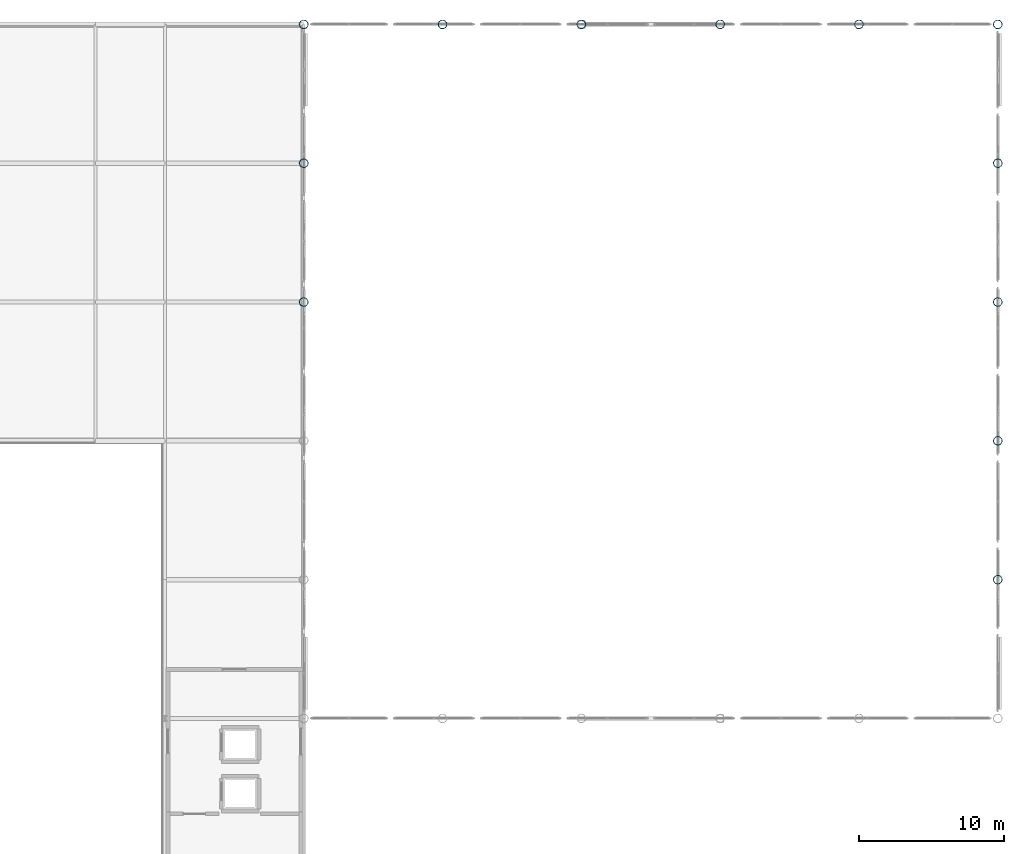
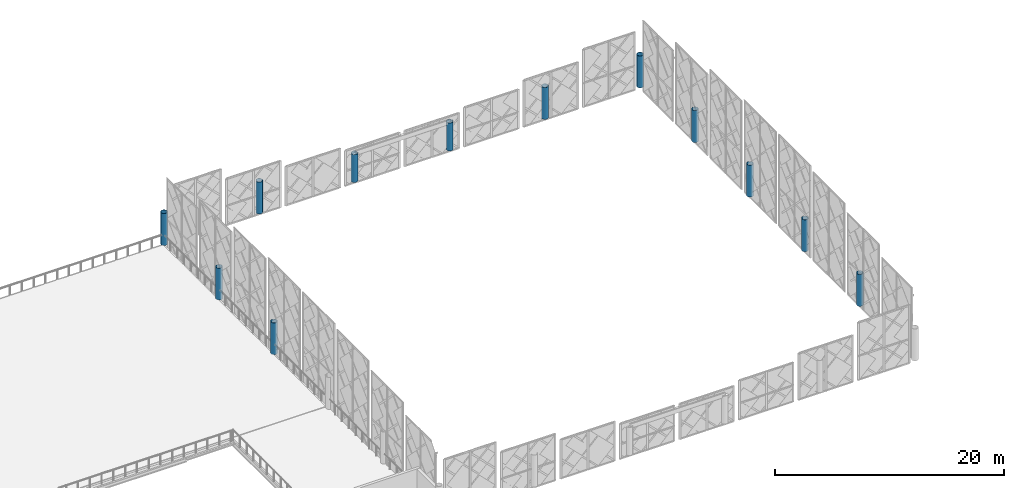
# One storey, part 7 of 53: 12 columns.
"""IFC4 building model written with IfcOpenShell, lengths in metres."""

from ifc_helpers import new_model, si_unit, direction, frame, origin, origin_2d, place, context, subcontext, project, spatial, hollow_circle, extrude, material, material_profile, profile_set, type_object, element, save


model = new_model("IFC4")

# Units and contexts
model_context = context("Model", 3, precision=1e-05, world=origin(), true_north=direction((0.0, 1.0)))
body_context = subcontext(model_context, "Body", "Model", "MODEL_VIEW")
ifc_project = project(units=[si_unit("LENGTHUNIT", "METRE"), si_unit("AREAUNIT", "SQUARE_METRE"), si_unit("VOLUMEUNIT", "CUBIC_METRE"), si_unit("PLANEANGLEUNIT", "RADIAN"), si_unit("MASSUNIT", "GRAM", prefix="KILO")], contexts=[model_context])

# Site, building, storey
site_placement = place(None, origin())
site = spatial("IfcSite", under=ifc_project, at=site_placement, CompositionType="ELEMENT")
building_placement = place(site_placement, origin())
building = spatial("IfcBuilding", under=site, at=building_placement, Name="Zevrakil Square Congress Hotel", CompositionType="ELEMENT")
storey_placement = place(building_placement, frame((0.0, 0.0, 14.699951171875)))
storey = spatial("IfcBuildingStorey", under=building, at=storey_placement, Name="L04", CompositionType="ELEMENT", Elevation=14.699951171875)

# Columns
ifc_material = material(Name="Steel S355", Category="steel")
ifc_material_profile = material_profile(ifc_material, hollow_circle(Radius=0.304931640625, WallThickness=0.02490234375, at=origin_2d()), Name="CHS 610x25")
ifc_profile_set = profile_set([ifc_material_profile], Name="Steel S355")
column_type = type_object("IfcColumnType", Name="COL-CHS610", PredefinedType="COLUMN", material=ifc_profile_set)
for number, where, z_axis, x_axis, name in (
    (1, (165.60009765625, 74.39990234375, 0.0), (0.0, 0.0, 1.0), (1.0, 0.0, 0.0), "L04 Congress ring pedestal column CP-07"),
    (2, (165.60009765625, 84.0, 0.0), (0.0, 0.0, 1.0), (1.0, 0.0, 0.0), "L04 Congress ring pedestal column CP-08"),
    (3, (165.60009765625, 93.60009765625, 0.0), (0.0, 0.0, 1.0), (1.0, 0.0, 0.0), "L04 Congress ring pedestal column CP-09"),
    (4, (165.60009765625, 103.199951171875, 0.0), (0.0, 0.0, 1.0), (1.0, 0.0, 0.0), "L04 Congress ring pedestal column CP-10"),
    (5, (165.60009765625, 112.800048828125, 0.0), (0.0, 0.0, 1.0), (1.0, 0.0, 0.0), "L04 Congress ring pedestal column CP-11"),
    (6, (156.0, 112.800048828125, 0.0), (0.0, 0.0, 1.0), (1.0, 0.0, 0.0), "L04 Congress ring pedestal column CP-12"),
):
    element("IfcColumn", number, at=place(storey_placement, frame(where, z_axis=z_axis, x_axis=x_axis)), inside=storey, type_object=column_type, Name=name, PredefinedType="COLUMN", context=body_context, shape_type="SweptSolid", body=[
        extrude(hollow_circle(Radius=0.304931640625, WallThickness=0.02490234375, at=origin_2d()), origin(), (0.0, 0.0, 1.0), 3.400146484375),
    ])
for number, where, z_axis, x_axis, name in (
    (7, (146.39990234375, 112.800048828125, 0.0), (0.0, 0.0, 1.0), (1.0, 0.0, 0.0), "L04 Congress ring pedestal column CP-13"),
    (8, (136.800048828125, 112.800048828125, 0.0), (0.0, 0.0, 1.0), (1.0, 0.0, 0.0), "L04 Congress ring pedestal column CP-14"),
):
    element("IfcColumn", number, at=place(storey_placement, frame(where, z_axis=z_axis, x_axis=x_axis)), inside=storey, type_object=column_type, Name=name, PredefinedType="COLUMN", context=body_context, shape_type="SweptSolid", body=[
        extrude(hollow_circle(Radius=0.304931640625, WallThickness=0.02490234375, at=origin_2d()), origin(), (0.0, 0.0, 1.0), 2.97802734375),
    ])
for number, where, z_axis, x_axis, name in (
    (9, (127.199951171875, 112.800048828125, 0.0), (0.0, 0.0, 1.0), (1.0, 0.0, 0.0), "L04 Congress ring pedestal column CP-15"),
    (10, (117.60009765625, 112.800048828125, 0.0), (0.0, 0.0, 1.0), (1.0, 0.0, 0.0), "L04 Congress ring pedestal column CP-16"),
    (11, (117.60009765625, 103.199951171875, 0.0), (0.0, 0.0, 1.0), (1.0, 0.0, 0.0), "L04 Congress ring pedestal column CP-17"),
    (12, (117.60009765625, 93.60009765625, 0.0), (0.0, 0.0, 1.0), (1.0, 0.0, 0.0), "L04 Congress ring pedestal column CP-18"),
):
    element("IfcColumn", number, at=place(storey_placement, frame(where, z_axis=z_axis, x_axis=x_axis)), inside=storey, type_object=column_type, Name=name, PredefinedType="COLUMN", context=body_context, shape_type="SweptSolid", body=[
        extrude(hollow_circle(Radius=0.304931640625, WallThickness=0.02490234375, at=origin_2d()), origin(), (0.0, 0.0, 1.0), 3.400146484375),
    ])

save(model, "model.ifc")
